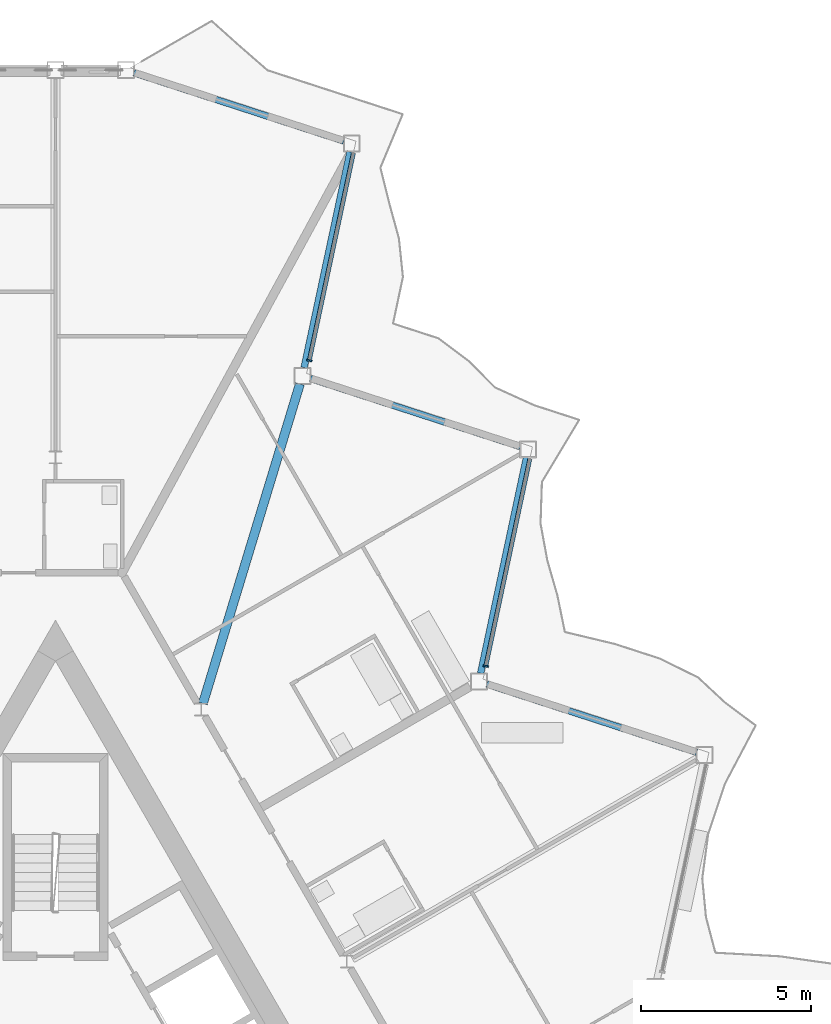
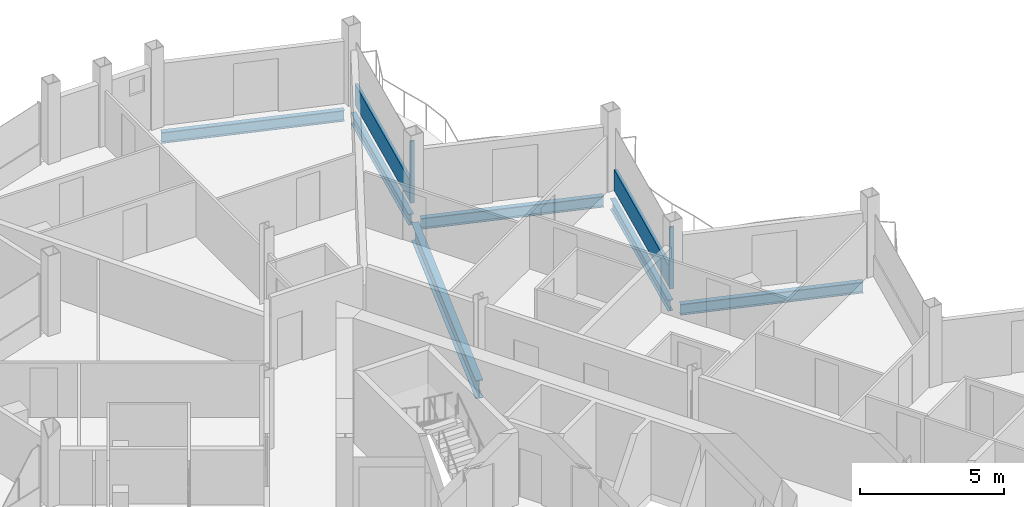
# One storey, part 10 of 26: 6 beams, 4 members, 2 elements without a shape of their own.
"""IFC4 building model written with IfcOpenShell, lengths in metres."""

from ifc_helpers import new_model, si_unit, direction, frame, origin, origin_2d, place, context, subcontext, project, spatial, rectangle, i_section, extrude, material, layer, layer_set, material_profile, profile_set, type_object, element, aggregate, save


model = new_model("IFC4")

# Units and contexts
model_context = context("Model", 3, precision=1e-05, world=origin(), true_north=direction((0.0, 1.0)))
body_context = subcontext(model_context, "Body", "Model", "MODEL_VIEW")
ifc_project = project(units=[si_unit("LENGTHUNIT", "METRE"), si_unit("AREAUNIT", "SQUARE_METRE"), si_unit("VOLUMEUNIT", "CUBIC_METRE"), si_unit("PLANEANGLEUNIT", "RADIAN"), si_unit("MASSUNIT", "GRAM", prefix="KILO")], contexts=[model_context])

# Site, building, storey
site_placement = place(None, origin())
site = spatial("IfcSite", under=ifc_project, at=site_placement, CompositionType="ELEMENT")
building_placement = place(site_placement, origin())
building = spatial("IfcBuilding", under=site, at=building_placement, Name="Cormorant Prow Tower", CompositionType="ELEMENT")
storey_placement = place(building_placement, frame((0.0, 0.0, 398.39990234375)))
storey = spatial("IfcBuildingStorey", under=building, at=storey_placement, Name="L91", CompositionType="ELEMENT", Elevation=398.39990234375)

# Beam
ifc_material_1 = material(Name="Structural steel ASTM A992 Gr 50", Category="steel")
ifc_material_profile_1 = material_profile(ifc_material_1, i_section(OverallWidth=0.267822265625, OverallDepth=0.77001953125, WebThickness=0.015625, FlangeThickness=0.025390625, at=origin_2d()), Name="W30x132")
ifc_profile_set_1 = profile_set([ifc_material_profile_1], Name="Structural steel ASTM A992 Gr 50")
beam_type_1 = type_object("IfcBeamType", Name="Radial floor beam W30x132", PredefinedType="BEAM", material=ifc_profile_set_1)
beam_1_placement = place(storey_placement, frame((4.343505859375, 12.560791015625, -0.684814453125), z_axis=(0.290499864147, 0.956875033079, 0.0), x_axis=(-0.956875033079, 0.290499864147, 0.0)))
element("IfcBeam", 1, at=beam_1_placement, inside=storey, type_object=beam_type_1, Name="Radial floor beam FB3 12 L91", PredefinedType="BEAM", context=body_context, shape_type="SweptSolid", body=[
    extrude(i_section(OverallWidth=0.267822265625, OverallDepth=0.77001953125, WebThickness=0.015625, FlangeThickness=0.025390625, at=origin_2d()), origin(), (0.0, 0.0, 1.0), 9.837158203125),
])

# Curtain wall, member
ifc_material_2 = material(Name="Aluminium 6063-T6", Category="aluminium")
ifc_layer = layer(ifc_material_2, 0.159912109375)
ifc_layer_set = layer_set([ifc_layer], Name="Aluminium 6063-T6")
curtain_wall_type = type_object("IfcCurtainWallType", Name="Residential unitised curtain wall 160", PredefinedType="NOTDEFINED", material=ifc_layer_set)
curtain_wall_1_placement = place(storey_placement, origin())
curtain_wall_1 = element("IfcCurtainWall", 2, at=curtain_wall_1_placement, inside=storey, type_object=curtain_wall_type, Name="Residential curtain wall ENE06", PredefinedType="NOTDEFINED")
ifc_material_3 = material(Name="Aluminium 6063-T6", Category="aluminium")
ifc_material_profile_2 = material_profile(ifc_material_3, rectangle(XDim=0.159912109375, YDim=0.050048828125, at=origin_2d()), Name="Residential mullion 50x160")
ifc_profile_set_2 = profile_set([ifc_material_profile_2], Name="Aluminium 6063-T6")
member_type_1 = type_object("IfcMemberType", Name="Residential mullion 50x160", PredefinedType="MULLION", material=ifc_profile_set_2)
member_1_placement = place(storey_placement, frame((12.67919921875, 13.66015625, 0.0), z_axis=(0.0, 0.0, 1.0), x_axis=(-0.978147615768, 0.207911620089, 0.0)))
member_1 = element("IfcMember", 3, at=member_1_placement, type_object=member_type_1, Name="Residential mullion ENE06", PredefinedType="MULLION", context=body_context, shape_type="SweptSolid", body=[
    extrude(rectangle(XDim=0.159912109375, YDim=0.050048828125, at=origin_2d()), origin(), (0.0, 0.0, 1.0), 2.634033203125),
])

curtain_wall_2_placement = place(storey_placement, origin())
curtain_wall_2 = element("IfcCurtainWall", 4, at=curtain_wall_2_placement, inside=storey, type_object=curtain_wall_type, Name="Residential curtain wall ENE08", PredefinedType="NOTDEFINED")
member_2_placement = place(storey_placement, frame((7.47900390625, 22.6669921875, 0.0), z_axis=(0.0, 0.0, 1.0), x_axis=(-0.978147615768, 0.207911620089, 0.0)))
member_2 = element("IfcMember", 5, at=member_2_placement, type_object=member_type_1, Name="Residential mullion ENE08", PredefinedType="MULLION", context=body_context, shape_type="SweptSolid", body=[
    extrude(rectangle(XDim=0.159912109375, YDim=0.050048828125, at=origin_2d()), origin(), (0.0, 0.0, 1.0), 2.634033203125),
])

# Member
ifc_material_4 = material(Name="Terracotta", Category="masonry")
ifc_material_profile_3 = material_profile(ifc_material_4, rectangle(XDim=0.1201171875, YDim=0.89990234375, at=origin_2d()), Name="Residential terracotta spandrel rail 120x900")
ifc_profile_set_3 = profile_set([ifc_material_profile_3], Name="Terracotta")
member_type_2 = type_object("IfcMemberType", Name="Residential terracotta spandrel rail 120x900", PredefinedType="USERDEFINED", material=ifc_profile_set_3)
member_3_placement = place(storey_placement, frame((12.684326171875, 13.6845703125, 0.4501953125), z_axis=(0.207908552773, 0.978148267741, 0.0), x_axis=(-0.978148267741, 0.207908552773, 0.0)))
member_3 = element("IfcMember", 6, at=member_3_placement, type_object=member_type_2, Name="Residential spandrel rail ENE06", ObjectType="TRANSOM", PredefinedType="USERDEFINED", context=body_context, shape_type="SweptSolid", body=[
    extrude(rectangle(XDim=0.1201171875, YDim=0.89990234375, at=origin_2d()), origin(), (0.0, 0.0, 1.0), 6.21533203125),
])

aggregate(curtain_wall_1, [member_1, member_3])

member_4_placement = place(storey_placement, frame((7.484375, 22.69140625, 0.4501953125), z_axis=(0.207916541247, 0.978146569731, 0.0), x_axis=(-0.978146569731, 0.207916541247, 0.0)))
member_4 = element("IfcMember", 7, at=member_4_placement, type_object=member_type_2, Name="Residential spandrel rail ENE08", ObjectType="TRANSOM", PredefinedType="USERDEFINED", context=body_context, shape_type="SweptSolid", body=[
    extrude(rectangle(XDim=0.1201171875, YDim=0.89990234375, at=origin_2d()), origin(), (0.0, 0.0, 1.0), 6.215087890625),
])

aggregate(curtain_wall_2, [member_2, member_4])

# Beams
ifc_material_5 = material(Name="Structural steel ASTM A992 Gr 50", Category="steel")
ifc_material_profile_4 = material_profile(ifc_material_5, i_section(OverallWidth=0.19287109375, OverallDepth=0.466064453125, WebThickness=0.011474609375, FlangeThickness=0.01904296875, at=origin_2d()), Name="W18x65")
ifc_profile_set_4 = profile_set([ifc_material_profile_4], Name="Structural steel ASTM A992 Gr 50")
beam_type_2 = type_object("IfcBeamType", Name="Spandrel beam W18x65", PredefinedType="SPANDREL", material=ifc_profile_set_4)
beam_2_placement = place(storey_placement, frame((18.890869140625, 11.12109375, -0.532958984375), z_axis=(-0.951053396625, 0.309026595569, 0.0), x_axis=(-0.309026595569, -0.951053396625, 0.0)))
element("IfcBeam", 8, at=beam_2_placement, inside=storey, type_object=beam_type_2, Name="Spandrel beam SB4 ENE05-ENE06 L91", PredefinedType="SPANDREL", context=body_context, shape_type="SweptSolid", body=[
    extrude(i_section(OverallWidth=0.19287109375, OverallDepth=0.466064453125, WebThickness=0.011474609375, FlangeThickness=0.01904296875, at=origin_2d()), origin(), (0.0, 0.0, 1.0), 6.497314453125),
])
beam_3_placement = place(storey_placement, frame((12.52587890625, 13.45068359375, -0.532958984375), z_axis=(0.207901897373, 0.978149682344, 0.0), x_axis=(-0.978149682344, 0.207901897373, 0.0)))
element("IfcBeam", 9, at=beam_3_placement, inside=storey, type_object=beam_type_2, Name="Spandrel beam SB4 ENE06-ENE07 L91", PredefinedType="SPANDREL", context=body_context, shape_type="SweptSolid", body=[
    extrude(i_section(OverallWidth=0.19287109375, OverallDepth=0.466064453125, WebThickness=0.011474609375, FlangeThickness=0.01904296875, at=origin_2d()), origin(), (0.0, 0.0, 1.0), 6.49755859375),
])
beam_4_placement = place(storey_placement, frame((13.69091796875, 20.1279296875, -0.532958984375), z_axis=(-0.951068027308, 0.308981564875, 0.0), x_axis=(-0.308981564875, -0.951068027308, 0.0)))
element("IfcBeam", 10, at=beam_4_placement, inside=storey, type_object=beam_type_2, Name="Spandrel beam SB4 ENE07-ENE08 L91", PredefinedType="SPANDREL", context=body_context, shape_type="SweptSolid", body=[
    extrude(i_section(OverallWidth=0.19287109375, OverallDepth=0.466064453125, WebThickness=0.011474609375, FlangeThickness=0.01904296875, at=origin_2d()), origin(), (0.0, 0.0, 1.0), 6.497314453125),
])
for number, where, z_axis, x_axis, name in (
    (11, (7.32568359375, 22.457275390625, -0.532958984375), (0.20793784774, 0.978142040543, 0.0), (-0.978142040543, 0.20793784774, 0.0), "Spandrel beam SB4 ENE08-ENE09 L91"),
    (12, (8.490966796875, 29.134521484375, -0.532958984375), (-0.951056984862, 0.30901555227, 0.0), (-0.30901555227, -0.951056984862, 0.0), "Spandrel beam SB4 ENE09-N00 L91"),
):
    element("IfcBeam", number, at=place(storey_placement, frame(where, z_axis=z_axis, x_axis=x_axis)), inside=storey, type_object=beam_type_2, Name=name, PredefinedType="SPANDREL", context=body_context, shape_type="SweptSolid", body=[
        extrude(i_section(OverallWidth=0.19287109375, OverallDepth=0.466064453125, WebThickness=0.011474609375, FlangeThickness=0.01904296875, at=origin_2d()), origin(), (0.0, 0.0, 1.0), 6.49755859375),
    ])

save(model, "model.ifc")
